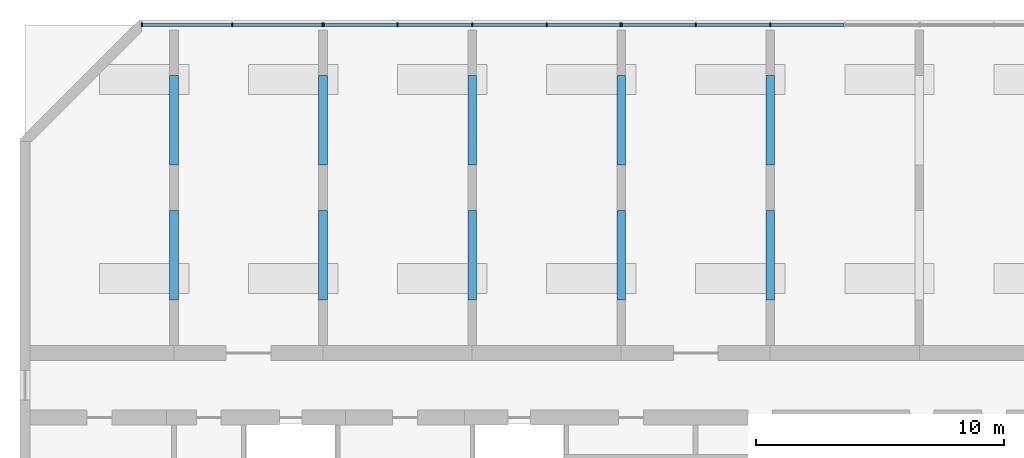
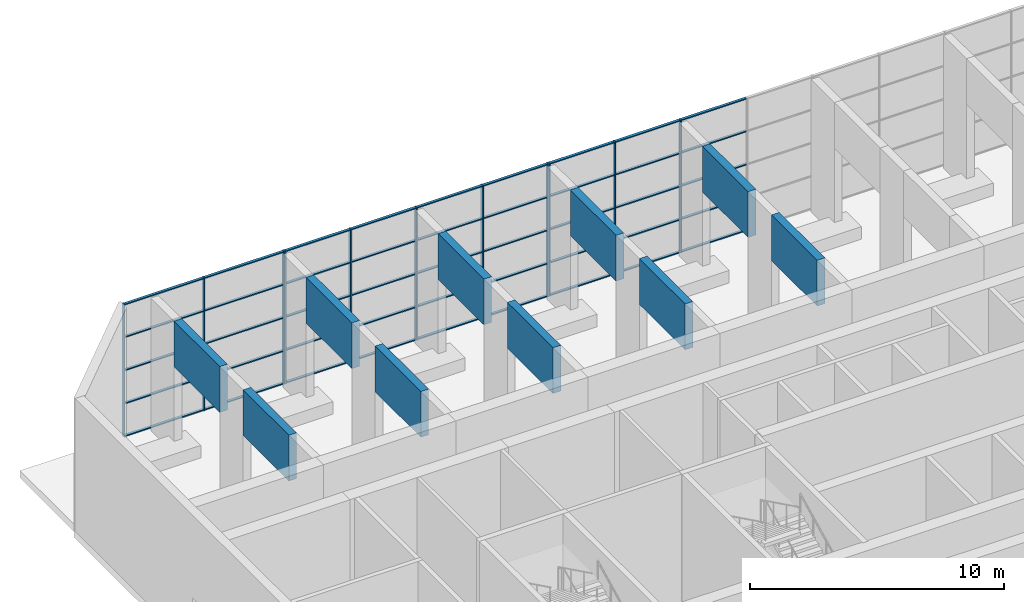
# One storey, part 1 of 16: 56 members, 10 beams, 3 elements without a shape of their own.
"""IFC4 building model written with IfcOpenShell, lengths in metres."""

from ifc_helpers import new_model, si_unit, direction, frame, origin, origin_2d, place, context, subcontext, project, spatial, rectangle, extrude, source, transform, mapped, material, layer, layer_set, material_profile, profile_set, type_object, element, aggregate, save


model = new_model("IFC4")

# Units and contexts
model_context = context("Model", 3, precision=1e-05, world=origin(), true_north=direction((0.0, 1.0)))
body_context = subcontext(model_context, "Body", "Model", "MODEL_VIEW")
ifc_project = project(units=[si_unit("LENGTHUNIT", "METRE"), si_unit("AREAUNIT", "SQUARE_METRE"), si_unit("VOLUMEUNIT", "CUBIC_METRE"), si_unit("PLANEANGLEUNIT", "RADIAN"), si_unit("MASSUNIT", "GRAM", prefix="KILO")], contexts=[model_context])

# Site, building, storey
site_placement = place(None, origin())
site = spatial("IfcSite", under=ifc_project, at=site_placement, CompositionType="ELEMENT")
building_placement = place(site_placement, origin())
building = spatial("IfcBuilding", under=site, at=building_placement, Name="Poui Terraces", CompositionType="ELEMENT")
storey_placement = place(building_placement, frame((0.0, 0.0, 115.800048828125)))
storey = spatial("IfcBuildingStorey", under=building, at=storey_placement, Name="L32", CompositionType="ELEMENT", Elevation=115.800048828125)

# Curtain wall, members
ifc_material_1 = material(Name="Clear glass", Category="glass")
ifc_layer = layer(ifc_material_1, 0.159912109375)
ifc_layer_set = layer_set([ifc_layer], Name="Clear glass")
curtain_wall_type = type_object("IfcCurtainWallType", Name="CURTAIN WALL CW-D SKY GARDEN GLAZING", PredefinedType="NOTDEFINED", material=ifc_layer_set)
curtain_wall_1_placement = place(storey_placement, origin())
curtain_wall_1 = element("IfcCurtainWall", 1, at=curtain_wall_1_placement, inside=storey, type_object=curtain_wall_type, Name="CW-D SKY GARDEN GLAZING", PredefinedType="NOTDEFINED")
ifc_material_2 = material(Name="Aluminium frame", Category="aluminium")
ifc_material_profile_1 = material_profile(ifc_material_2, rectangle(XDim=0.159912109375, YDim=0.050048828125, at=origin_2d()), Name="CW-D MULLION 50X160")
ifc_profile_set_1 = profile_set([ifc_material_profile_1], Name="Aluminium frame")
member_type_1 = type_object("IfcMemberType", Name="CW-D MULLION 50X160", PredefinedType="MULLION", material=ifc_profile_set_1)
member_1_placement = place(storey_placement, frame((23.97509765625, 43.60009765625, 0.0), z_axis=(0.0, 0.0, 1.0), x_axis=(0.0, -1.0, 0.0)))
member_1 = element("IfcMember", 2, at=member_1_placement, type_object=member_type_1, Name="CW-D mullion 1", PredefinedType="MULLION", context=body_context, shape_type="SweptSolid", body=[
    extrude(rectangle(XDim=0.159912109375, YDim=0.050048828125, at=origin_2d()), origin(), (0.0, 0.0, 1.0), 6.369873046875),
])
member_2_placement = place(storey_placement, frame((20.34130859375, 43.60009765625, 0.0), z_axis=(0.0, 0.0, 1.0), x_axis=(0.0, -1.0, 0.0)))
member_2 = element("IfcMember", 3, at=member_2_placement, type_object=member_type_1, Name="CW-D mullion 2", PredefinedType="MULLION", context=body_context, shape_type="SweptSolid", body=[
    extrude(rectangle(XDim=0.159912109375, YDim=0.050048828125, at=origin_2d()), origin(), (0.0, 0.0, 1.0), 6.369873046875),
])
member_3_placement = place(storey_placement, frame((16.707763671875, 43.60009765625, 0.0), z_axis=(0.0, 0.0, 1.0), x_axis=(0.0, -1.0, 0.0)))
member_3 = element("IfcMember", 4, at=member_3_placement, type_object=member_type_1, Name="CW-D mullion 3", PredefinedType="MULLION", context=body_context, shape_type="SweptSolid", body=[
    extrude(rectangle(XDim=0.159912109375, YDim=0.050048828125, at=origin_2d()), origin(), (0.0, 0.0, 1.0), 6.369873046875),
])

curtain_wall_2_placement = place(storey_placement, origin())
curtain_wall_2 = element("IfcCurtainWall", 5, at=curtain_wall_2_placement, inside=storey, type_object=curtain_wall_type, Name="CW-D SKY GARDEN GLAZING", PredefinedType="NOTDEFINED")
member_4_placement = place(storey_placement, frame((35.97509765625, 43.60009765625, 0.0), z_axis=(0.0, 0.0, 1.0), x_axis=(0.0, -1.0, 0.0)))
member_4 = element("IfcMember", 6, at=member_4_placement, type_object=member_type_1, Name="CW-D mullion 1", PredefinedType="MULLION", context=body_context, shape_type="SweptSolid", body=[
    extrude(rectangle(XDim=0.159912109375, YDim=0.050048828125, at=origin_2d()), origin(), (0.0, 0.0, 1.0), 6.369873046875),
])
member_5_placement = place(storey_placement, frame((33.0, 43.60009765625, 0.0), z_axis=(0.0, 0.0, 1.0), x_axis=(0.0, -1.0, 0.0)))
member_5 = element("IfcMember", 7, at=member_5_placement, type_object=member_type_1, Name="CW-D mullion 2", PredefinedType="MULLION", context=body_context, shape_type="SweptSolid", body=[
    extrude(rectangle(XDim=0.159912109375, YDim=0.050048828125, at=origin_2d()), origin(), (0.0, 0.0, 1.0), 6.369873046875),
])
member_6_placement = place(storey_placement, frame((30.0, 43.60009765625, 0.0), z_axis=(0.0, 0.0, 1.0), x_axis=(0.0, -1.0, 0.0)))
member_6 = element("IfcMember", 8, at=member_6_placement, type_object=member_type_1, Name="CW-D mullion 3", PredefinedType="MULLION", context=body_context, shape_type="SweptSolid", body=[
    extrude(rectangle(XDim=0.159912109375, YDim=0.050048828125, at=origin_2d()), origin(), (0.0, 0.0, 1.0), 6.369873046875),
])
member_7_placement = place(storey_placement, frame((27.0, 43.60009765625, 0.0), z_axis=(0.0, 0.0, 1.0), x_axis=(0.0, -1.0, 0.0)))
member_7 = element("IfcMember", 9, at=member_7_placement, type_object=member_type_1, Name="CW-D mullion 4", PredefinedType="MULLION", context=body_context, shape_type="SweptSolid", body=[
    extrude(rectangle(XDim=0.159912109375, YDim=0.050048828125, at=origin_2d()), origin(), (0.0, 0.0, 1.0), 6.369873046875),
])
member_8_placement = place(storey_placement, frame((24.02490234375, 43.60009765625, 0.0), z_axis=(0.0, 0.0, 1.0), x_axis=(0.0, -1.0, 0.0)))
member_8 = element("IfcMember", 10, at=member_8_placement, type_object=member_type_1, Name="CW-D mullion 5", PredefinedType="MULLION", context=body_context, shape_type="SweptSolid", body=[
    extrude(rectangle(XDim=0.159912109375, YDim=0.050048828125, at=origin_2d()), origin(), (0.0, 0.0, 1.0), 6.369873046875),
])

curtain_wall_3_placement = place(storey_placement, origin())
curtain_wall_3 = element("IfcCurtainWall", 11, at=curtain_wall_3_placement, inside=storey, type_object=curtain_wall_type, Name="CW-D SKY GARDEN GLAZING", PredefinedType="NOTDEFINED")
member_9_placement = place(storey_placement, frame((42.0, 43.60009765625, 0.0), z_axis=(0.0, 0.0, 1.0), x_axis=(0.0, -1.0, 0.0)))
member_9 = element("IfcMember", 12, at=member_9_placement, type_object=member_type_1, Name="CW-D mullion 3", PredefinedType="MULLION", context=body_context, shape_type="SweptSolid", body=[
    extrude(rectangle(XDim=0.159912109375, YDim=0.050048828125, at=origin_2d()), origin(), (0.0, 0.0, 1.0), 6.369873046875),
])
member_10_placement = place(storey_placement, frame((39.0, 43.60009765625, 0.0), z_axis=(0.0, 0.0, 1.0), x_axis=(0.0, -1.0, 0.0)))
member_10 = element("IfcMember", 13, at=member_10_placement, type_object=member_type_1, Name="CW-D mullion 4", PredefinedType="MULLION", context=body_context, shape_type="SweptSolid", body=[
    extrude(rectangle(XDim=0.159912109375, YDim=0.050048828125, at=origin_2d()), origin(), (0.0, 0.0, 1.0), 6.369873046875),
])
member_11_placement = place(storey_placement, frame((36.02490234375, 43.60009765625, 0.0), z_axis=(0.0, 0.0, 1.0), x_axis=(0.0, -1.0, 0.0)))
member_11 = element("IfcMember", 14, at=member_11_placement, type_object=member_type_1, Name="CW-D mullion 5", PredefinedType="MULLION", context=body_context, shape_type="SweptSolid", body=[
    extrude(rectangle(XDim=0.159912109375, YDim=0.050048828125, at=origin_2d()), origin(), (0.0, 0.0, 1.0), 6.369873046875),
])

# Member
ifc_material_profile_2 = material_profile(ifc_material_2, rectangle(XDim=0.1201171875, YDim=0.050048828125, at=origin_2d()), Name="CW-D TRANSOM 50X120")
ifc_profile_set_2 = profile_set([ifc_material_profile_2], Name="Aluminium frame")
member_type_2 = type_object("IfcMemberType", Name="CW-D TRANSOM 50X120", PredefinedType="USERDEFINED", material=ifc_profile_set_2)
member_12_placement = place(storey_placement, frame((23.949951171875, 43.60009765625, 0.02490234375), z_axis=(-1.0, 0.0, 0.0), x_axis=(0.0, -1.0, 0.0)))
member_12 = element("IfcMember", 15, at=member_12_placement, type_object=member_type_2, Name="CW-D transom 1.1", ObjectType="TRANSOM", PredefinedType="USERDEFINED", context=body_context, shape_type="SweptSolid", body=[
    extrude(rectangle(XDim=0.1201171875, YDim=0.050048828125, at=origin_2d()), origin(), (0.0, 0.0, 1.0), 3.58349609375),
])

member_13_placement = place(storey_placement, frame((23.949951171875, 43.60009765625, 1.592529296875), z_axis=(-1.0, 0.0, 0.0), x_axis=(0.0, -1.0, 0.0)))
member_13 = element("IfcMember", 16, at=member_13_placement, type_object=member_type_2, Name="CW-D transom 1.2", ObjectType="TRANSOM", PredefinedType="USERDEFINED", context=body_context, shape_type="SweptSolid", body=[
    extrude(rectangle(XDim=0.1201171875, YDim=0.050048828125, at=origin_2d()), origin(), (0.0, 0.0, 1.0), 3.58349609375),
])

member_14_placement = place(storey_placement, frame((23.949951171875, 43.60009765625, 3.18505859375), z_axis=(-1.0, 0.0, 0.0), x_axis=(0.0, -1.0, 0.0)))
member_14 = element("IfcMember", 17, at=member_14_placement, type_object=member_type_2, Name="CW-D transom 1.3", ObjectType="TRANSOM", PredefinedType="USERDEFINED", context=body_context, shape_type="SweptSolid", body=[
    extrude(rectangle(XDim=0.1201171875, YDim=0.050048828125, at=origin_2d()), origin(), (0.0, 0.0, 1.0), 3.58349609375),
])

member_15_placement = place(storey_placement, frame((23.949951171875, 43.60009765625, 4.77734375), z_axis=(-1.0, 0.0, 0.0), x_axis=(0.0, -1.0, 0.0)))
member_15 = element("IfcMember", 18, at=member_15_placement, type_object=member_type_2, Name="CW-D transom 1.4", ObjectType="TRANSOM", PredefinedType="USERDEFINED", context=body_context, shape_type="SweptSolid", body=[
    extrude(rectangle(XDim=0.1201171875, YDim=0.050048828125, at=origin_2d()), origin(), (0.0, 0.0, 1.0), 3.58349609375),
])

member_16_placement = place(storey_placement, frame((23.949951171875, 43.60009765625, 6.344970703125), z_axis=(-1.0, 0.0, 0.0), x_axis=(0.0, -1.0, 0.0)))
member_16 = element("IfcMember", 19, at=member_16_placement, type_object=member_type_2, Name="CW-D transom 1.5", ObjectType="TRANSOM", PredefinedType="USERDEFINED", context=body_context, shape_type="SweptSolid", body=[
    extrude(rectangle(XDim=0.1201171875, YDim=0.050048828125, at=origin_2d()), origin(), (0.0, 0.0, 1.0), 3.58349609375),
])

member_17_placement = place(storey_placement, frame((20.31640625, 43.60009765625, 0.02490234375), z_axis=(-1.0, 0.0, 0.0), x_axis=(0.0, -1.0, 0.0)))
member_17 = element("IfcMember", 20, at=member_17_placement, type_object=member_type_2, Name="CW-D transom 2.1", ObjectType="TRANSOM", PredefinedType="USERDEFINED", context=body_context, shape_type="SweptSolid", body=[
    extrude(rectangle(XDim=0.1201171875, YDim=0.050048828125, at=origin_2d()), origin(), (0.0, 0.0, 1.0), 3.58349609375),
])

member_18_placement = place(storey_placement, frame((20.31640625, 43.60009765625, 1.592529296875), z_axis=(-1.0, 0.0, 0.0), x_axis=(0.0, -1.0, 0.0)))
member_18 = element("IfcMember", 21, at=member_18_placement, type_object=member_type_2, Name="CW-D transom 2.2", ObjectType="TRANSOM", PredefinedType="USERDEFINED", context=body_context, shape_type="SweptSolid", body=[
    extrude(rectangle(XDim=0.1201171875, YDim=0.050048828125, at=origin_2d()), origin(), (0.0, 0.0, 1.0), 3.58349609375),
])

member_19_placement = place(storey_placement, frame((20.31640625, 43.60009765625, 3.18505859375), z_axis=(-1.0, 0.0, 0.0), x_axis=(0.0, -1.0, 0.0)))
member_19 = element("IfcMember", 22, at=member_19_placement, type_object=member_type_2, Name="CW-D transom 2.3", ObjectType="TRANSOM", PredefinedType="USERDEFINED", context=body_context, shape_type="SweptSolid", body=[
    extrude(rectangle(XDim=0.1201171875, YDim=0.050048828125, at=origin_2d()), origin(), (0.0, 0.0, 1.0), 3.58349609375),
])

member_20_placement = place(storey_placement, frame((20.31640625, 43.60009765625, 4.77734375), z_axis=(-1.0, 0.0, 0.0), x_axis=(0.0, -1.0, 0.0)))
member_20 = element("IfcMember", 23, at=member_20_placement, type_object=member_type_2, Name="CW-D transom 2.4", ObjectType="TRANSOM", PredefinedType="USERDEFINED", context=body_context, shape_type="SweptSolid", body=[
    extrude(rectangle(XDim=0.1201171875, YDim=0.050048828125, at=origin_2d()), origin(), (0.0, 0.0, 1.0), 3.58349609375),
])

member_21_placement = place(storey_placement, frame((20.31640625, 43.60009765625, 6.344970703125), z_axis=(-1.0, 0.0, 0.0), x_axis=(0.0, -1.0, 0.0)))
member_21 = element("IfcMember", 24, at=member_21_placement, type_object=member_type_2, Name="CW-D transom 2.5", ObjectType="TRANSOM", PredefinedType="USERDEFINED", context=body_context, shape_type="SweptSolid", body=[
    extrude(rectangle(XDim=0.1201171875, YDim=0.050048828125, at=origin_2d()), origin(), (0.0, 0.0, 1.0), 3.58349609375),
])

aggregate(curtain_wall_1, [member_1, member_2, member_3, member_12, member_13, member_14, member_15, member_16, member_17, member_18, member_19, member_20, member_21])

member_22_placement = place(storey_placement, frame((35.949951171875, 43.60009765625, 0.02490234375), z_axis=(-1.0, 0.0, 0.0), x_axis=(0.0, -1.0, 0.0)))
member_22 = element("IfcMember", 25, at=member_22_placement, type_object=member_type_2, Name="CW-D transom 1.1", ObjectType="TRANSOM", PredefinedType="USERDEFINED", context=body_context, shape_type="SweptSolid", body=[
    extrude(rectangle(XDim=0.1201171875, YDim=0.050048828125, at=origin_2d()), origin(), (0.0, 0.0, 1.0), 2.925048828125),
])

member_23_placement = place(storey_placement, frame((35.949951171875, 43.60009765625, 1.592529296875), z_axis=(-1.0, 0.0, 0.0), x_axis=(0.0, -1.0, 0.0)))
member_23 = element("IfcMember", 26, at=member_23_placement, type_object=member_type_2, Name="CW-D transom 1.2", ObjectType="TRANSOM", PredefinedType="USERDEFINED", context=body_context, shape_type="SweptSolid", body=[
    extrude(rectangle(XDim=0.1201171875, YDim=0.050048828125, at=origin_2d()), origin(), (0.0, 0.0, 1.0), 2.925048828125),
])

member_24_placement = place(storey_placement, frame((35.949951171875, 43.60009765625, 3.18505859375), z_axis=(-1.0, 0.0, 0.0), x_axis=(0.0, -1.0, 0.0)))
member_24 = element("IfcMember", 27, at=member_24_placement, type_object=member_type_2, Name="CW-D transom 1.3", ObjectType="TRANSOM", PredefinedType="USERDEFINED", context=body_context, shape_type="SweptSolid", body=[
    extrude(rectangle(XDim=0.1201171875, YDim=0.050048828125, at=origin_2d()), origin(), (0.0, 0.0, 1.0), 2.925048828125),
])

member_25_placement = place(storey_placement, frame((35.949951171875, 43.60009765625, 4.77734375), z_axis=(-1.0, 0.0, 0.0), x_axis=(0.0, -1.0, 0.0)))
member_25 = element("IfcMember", 28, at=member_25_placement, type_object=member_type_2, Name="CW-D transom 1.4", ObjectType="TRANSOM", PredefinedType="USERDEFINED", context=body_context, shape_type="SweptSolid", body=[
    extrude(rectangle(XDim=0.1201171875, YDim=0.050048828125, at=origin_2d()), origin(), (0.0, 0.0, 1.0), 2.925048828125),
])

member_26_placement = place(storey_placement, frame((35.949951171875, 43.60009765625, 6.344970703125), z_axis=(-1.0, 0.0, 0.0), x_axis=(0.0, -1.0, 0.0)))
member_26 = element("IfcMember", 29, at=member_26_placement, type_object=member_type_2, Name="CW-D transom 1.5", ObjectType="TRANSOM", PredefinedType="USERDEFINED", context=body_context, shape_type="SweptSolid", body=[
    extrude(rectangle(XDim=0.1201171875, YDim=0.050048828125, at=origin_2d()), origin(), (0.0, 0.0, 1.0), 2.925048828125),
])

member_27_placement = place(storey_placement, frame((32.97509765625, 43.60009765625, 0.02490234375), z_axis=(-1.0, 0.0, 0.0), x_axis=(0.0, -1.0, 0.0)))
member_27 = element("IfcMember", 30, at=member_27_placement, type_object=member_type_2, Name="CW-D transom 2.1", ObjectType="TRANSOM", PredefinedType="USERDEFINED", context=body_context, shape_type="SweptSolid", body=[
    extrude(rectangle(XDim=0.1201171875, YDim=0.050048828125, at=origin_2d()), origin(), (0.0, 0.0, 1.0), 2.9501953125),
])

member_28_placement = place(storey_placement, frame((32.97509765625, 43.60009765625, 1.592529296875), z_axis=(-1.0, 0.0, 0.0), x_axis=(0.0, -1.0, 0.0)))
member_28 = element("IfcMember", 31, at=member_28_placement, type_object=member_type_2, Name="CW-D transom 2.2", ObjectType="TRANSOM", PredefinedType="USERDEFINED", context=body_context, shape_type="SweptSolid", body=[
    extrude(rectangle(XDim=0.1201171875, YDim=0.050048828125, at=origin_2d()), origin(), (0.0, 0.0, 1.0), 2.9501953125),
])

member_29_placement = place(storey_placement, frame((32.97509765625, 43.60009765625, 3.18505859375), z_axis=(-1.0, 0.0, 0.0), x_axis=(0.0, -1.0, 0.0)))
member_29 = element("IfcMember", 32, at=member_29_placement, type_object=member_type_2, Name="CW-D transom 2.3", ObjectType="TRANSOM", PredefinedType="USERDEFINED", context=body_context, shape_type="SweptSolid", body=[
    extrude(rectangle(XDim=0.1201171875, YDim=0.050048828125, at=origin_2d()), origin(), (0.0, 0.0, 1.0), 2.9501953125),
])

member_30_placement = place(storey_placement, frame((32.97509765625, 43.60009765625, 4.77734375), z_axis=(-1.0, 0.0, 0.0), x_axis=(0.0, -1.0, 0.0)))
member_30 = element("IfcMember", 33, at=member_30_placement, type_object=member_type_2, Name="CW-D transom 2.4", ObjectType="TRANSOM", PredefinedType="USERDEFINED", context=body_context, shape_type="SweptSolid", body=[
    extrude(rectangle(XDim=0.1201171875, YDim=0.050048828125, at=origin_2d()), origin(), (0.0, 0.0, 1.0), 2.9501953125),
])

member_31_placement = place(storey_placement, frame((32.97509765625, 43.60009765625, 6.344970703125), z_axis=(-1.0, 0.0, 0.0), x_axis=(0.0, -1.0, 0.0)))
member_31 = element("IfcMember", 34, at=member_31_placement, type_object=member_type_2, Name="CW-D transom 2.5", ObjectType="TRANSOM", PredefinedType="USERDEFINED", context=body_context, shape_type="SweptSolid", body=[
    extrude(rectangle(XDim=0.1201171875, YDim=0.050048828125, at=origin_2d()), origin(), (0.0, 0.0, 1.0), 2.9501953125),
])

member_32_placement = place(storey_placement, frame((29.97509765625, 43.60009765625, 0.02490234375), z_axis=(-1.0, 0.0, 0.0), x_axis=(0.0, -1.0, 0.0)))
member_32 = element("IfcMember", 35, at=member_32_placement, type_object=member_type_2, Name="CW-D transom 3.1", ObjectType="TRANSOM", PredefinedType="USERDEFINED", context=body_context, shape_type="SweptSolid", body=[
    extrude(rectangle(XDim=0.1201171875, YDim=0.050048828125, at=origin_2d()), origin(), (0.0, 0.0, 1.0), 2.9501953125),
])

member_33_placement = place(storey_placement, frame((29.97509765625, 43.60009765625, 1.592529296875), z_axis=(-1.0, 0.0, 0.0), x_axis=(0.0, -1.0, 0.0)))
member_33 = element("IfcMember", 36, at=member_33_placement, type_object=member_type_2, Name="CW-D transom 3.2", ObjectType="TRANSOM", PredefinedType="USERDEFINED", context=body_context, shape_type="SweptSolid", body=[
    extrude(rectangle(XDim=0.1201171875, YDim=0.050048828125, at=origin_2d()), origin(), (0.0, 0.0, 1.0), 2.9501953125),
])

member_34_placement = place(storey_placement, frame((29.97509765625, 43.60009765625, 3.18505859375), z_axis=(-1.0, 0.0, 0.0), x_axis=(0.0, -1.0, 0.0)))
member_34 = element("IfcMember", 37, at=member_34_placement, type_object=member_type_2, Name="CW-D transom 3.3", ObjectType="TRANSOM", PredefinedType="USERDEFINED", context=body_context, shape_type="SweptSolid", body=[
    extrude(rectangle(XDim=0.1201171875, YDim=0.050048828125, at=origin_2d()), origin(), (0.0, 0.0, 1.0), 2.9501953125),
])

member_35_placement = place(storey_placement, frame((29.97509765625, 43.60009765625, 4.77734375), z_axis=(-1.0, 0.0, 0.0), x_axis=(0.0, -1.0, 0.0)))
member_35 = element("IfcMember", 38, at=member_35_placement, type_object=member_type_2, Name="CW-D transom 3.4", ObjectType="TRANSOM", PredefinedType="USERDEFINED", context=body_context, shape_type="SweptSolid", body=[
    extrude(rectangle(XDim=0.1201171875, YDim=0.050048828125, at=origin_2d()), origin(), (0.0, 0.0, 1.0), 2.9501953125),
])

member_36_placement = place(storey_placement, frame((29.97509765625, 43.60009765625, 6.344970703125), z_axis=(-1.0, 0.0, 0.0), x_axis=(0.0, -1.0, 0.0)))
member_36 = element("IfcMember", 39, at=member_36_placement, type_object=member_type_2, Name="CW-D transom 3.5", ObjectType="TRANSOM", PredefinedType="USERDEFINED", context=body_context, shape_type="SweptSolid", body=[
    extrude(rectangle(XDim=0.1201171875, YDim=0.050048828125, at=origin_2d()), origin(), (0.0, 0.0, 1.0), 2.9501953125),
])

member_37_placement = place(storey_placement, frame((26.97509765625, 43.60009765625, 0.02490234375), z_axis=(-1.0, 0.0, 0.0), x_axis=(0.0, -1.0, 0.0)))
member_37 = element("IfcMember", 40, at=member_37_placement, type_object=member_type_2, Name="CW-D transom 4.1", ObjectType="TRANSOM", PredefinedType="USERDEFINED", context=body_context, shape_type="SweptSolid", body=[
    extrude(rectangle(XDim=0.1201171875, YDim=0.050048828125, at=origin_2d()), origin(), (0.0, 0.0, 1.0), 2.925048828125),
])

member_38_placement = place(storey_placement, frame((26.97509765625, 43.60009765625, 1.592529296875), z_axis=(-1.0, 0.0, 0.0), x_axis=(0.0, -1.0, 0.0)))
member_38 = element("IfcMember", 41, at=member_38_placement, type_object=member_type_2, Name="CW-D transom 4.2", ObjectType="TRANSOM", PredefinedType="USERDEFINED", context=body_context, shape_type="SweptSolid", body=[
    extrude(rectangle(XDim=0.1201171875, YDim=0.050048828125, at=origin_2d()), origin(), (0.0, 0.0, 1.0), 2.925048828125),
])

member_39_placement = place(storey_placement, frame((26.97509765625, 43.60009765625, 3.18505859375), z_axis=(-1.0, 0.0, 0.0), x_axis=(0.0, -1.0, 0.0)))
member_39 = element("IfcMember", 42, at=member_39_placement, type_object=member_type_2, Name="CW-D transom 4.3", ObjectType="TRANSOM", PredefinedType="USERDEFINED", context=body_context, shape_type="SweptSolid", body=[
    extrude(rectangle(XDim=0.1201171875, YDim=0.050048828125, at=origin_2d()), origin(), (0.0, 0.0, 1.0), 2.925048828125),
])

member_40_placement = place(storey_placement, frame((26.97509765625, 43.60009765625, 4.77734375), z_axis=(-1.0, 0.0, 0.0), x_axis=(0.0, -1.0, 0.0)))
member_40 = element("IfcMember", 43, at=member_40_placement, type_object=member_type_2, Name="CW-D transom 4.4", ObjectType="TRANSOM", PredefinedType="USERDEFINED", context=body_context, shape_type="SweptSolid", body=[
    extrude(rectangle(XDim=0.1201171875, YDim=0.050048828125, at=origin_2d()), origin(), (0.0, 0.0, 1.0), 2.925048828125),
])

member_41_placement = place(storey_placement, frame((26.97509765625, 43.60009765625, 6.344970703125), z_axis=(-1.0, 0.0, 0.0), x_axis=(0.0, -1.0, 0.0)))
member_41 = element("IfcMember", 44, at=member_41_placement, type_object=member_type_2, Name="CW-D transom 4.5", ObjectType="TRANSOM", PredefinedType="USERDEFINED", context=body_context, shape_type="SweptSolid", body=[
    extrude(rectangle(XDim=0.1201171875, YDim=0.050048828125, at=origin_2d()), origin(), (0.0, 0.0, 1.0), 2.925048828125),
])

aggregate(curtain_wall_2, [member_4, member_5, member_6, member_7, member_8, member_22, member_23, member_24, member_25, member_26, member_27, member_28, member_29, member_30, member_31, member_32, member_33, member_34, member_35, member_36, member_37, member_38, member_39, member_40, member_41])

member_42_placement = place(storey_placement, frame((44.97509765625, 43.60009765625, 0.02490234375), z_axis=(-1.0, 0.0, 0.0), x_axis=(0.0, -1.0, 0.0)))
member_42 = element("IfcMember", 45, at=member_42_placement, type_object=member_type_2, Name="CW-D transom 2.1", ObjectType="TRANSOM", PredefinedType="USERDEFINED", context=body_context, shape_type="SweptSolid", body=[
    extrude(rectangle(XDim=0.1201171875, YDim=0.050048828125, at=origin_2d()), origin(), (0.0, 0.0, 1.0), 2.9501953125),
])

member_43_placement = place(storey_placement, frame((44.97509765625, 43.60009765625, 1.592529296875), z_axis=(-1.0, 0.0, 0.0), x_axis=(0.0, -1.0, 0.0)))
member_43 = element("IfcMember", 46, at=member_43_placement, type_object=member_type_2, Name="CW-D transom 2.2", ObjectType="TRANSOM", PredefinedType="USERDEFINED", context=body_context, shape_type="SweptSolid", body=[
    extrude(rectangle(XDim=0.1201171875, YDim=0.050048828125, at=origin_2d()), origin(), (0.0, 0.0, 1.0), 2.9501953125),
])

member_44_placement = place(storey_placement, frame((44.97509765625, 43.60009765625, 3.18505859375), z_axis=(-1.0, 0.0, 0.0), x_axis=(0.0, -1.0, 0.0)))
member_44 = element("IfcMember", 47, at=member_44_placement, type_object=member_type_2, Name="CW-D transom 2.3", ObjectType="TRANSOM", PredefinedType="USERDEFINED", context=body_context, shape_type="SweptSolid", body=[
    extrude(rectangle(XDim=0.1201171875, YDim=0.050048828125, at=origin_2d()), origin(), (0.0, 0.0, 1.0), 2.9501953125),
])

member_45_placement = place(storey_placement, frame((44.97509765625, 43.60009765625, 4.77734375), z_axis=(-1.0, 0.0, 0.0), x_axis=(0.0, -1.0, 0.0)))
member_45 = element("IfcMember", 48, at=member_45_placement, type_object=member_type_2, Name="CW-D transom 2.4", ObjectType="TRANSOM", PredefinedType="USERDEFINED", context=body_context, shape_type="SweptSolid", body=[
    extrude(rectangle(XDim=0.1201171875, YDim=0.050048828125, at=origin_2d()), origin(), (0.0, 0.0, 1.0), 2.9501953125),
])

member_46_placement = place(storey_placement, frame((44.97509765625, 43.60009765625, 6.344970703125), z_axis=(-1.0, 0.0, 0.0), x_axis=(0.0, -1.0, 0.0)))
member_46 = element("IfcMember", 49, at=member_46_placement, type_object=member_type_2, Name="CW-D transom 2.5", ObjectType="TRANSOM", PredefinedType="USERDEFINED", context=body_context, shape_type="SweptSolid", body=[
    extrude(rectangle(XDim=0.1201171875, YDim=0.050048828125, at=origin_2d()), origin(), (0.0, 0.0, 1.0), 2.9501953125),
])

member_47_placement = place(storey_placement, frame((41.97509765625, 43.60009765625, 0.02490234375), z_axis=(-1.0, 0.0, 0.0), x_axis=(0.0, -1.0, 0.0)))
member_47 = element("IfcMember", 50, at=member_47_placement, type_object=member_type_2, Name="CW-D transom 3.1", ObjectType="TRANSOM", PredefinedType="USERDEFINED", context=body_context, shape_type="SweptSolid", body=[
    extrude(rectangle(XDim=0.1201171875, YDim=0.050048828125, at=origin_2d()), origin(), (0.0, 0.0, 1.0), 2.9501953125),
])

member_48_placement = place(storey_placement, frame((41.97509765625, 43.60009765625, 1.592529296875), z_axis=(-1.0, 0.0, 0.0), x_axis=(0.0, -1.0, 0.0)))
member_48 = element("IfcMember", 51, at=member_48_placement, type_object=member_type_2, Name="CW-D transom 3.2", ObjectType="TRANSOM", PredefinedType="USERDEFINED", context=body_context, shape_type="SweptSolid", body=[
    extrude(rectangle(XDim=0.1201171875, YDim=0.050048828125, at=origin_2d()), origin(), (0.0, 0.0, 1.0), 2.9501953125),
])

member_49_placement = place(storey_placement, frame((41.97509765625, 43.60009765625, 3.18505859375), z_axis=(-1.0, 0.0, 0.0), x_axis=(0.0, -1.0, 0.0)))
member_49 = element("IfcMember", 52, at=member_49_placement, type_object=member_type_2, Name="CW-D transom 3.3", ObjectType="TRANSOM", PredefinedType="USERDEFINED", context=body_context, shape_type="SweptSolid", body=[
    extrude(rectangle(XDim=0.1201171875, YDim=0.050048828125, at=origin_2d()), origin(), (0.0, 0.0, 1.0), 2.9501953125),
])

member_50_placement = place(storey_placement, frame((41.97509765625, 43.60009765625, 4.77734375), z_axis=(-1.0, 0.0, 0.0), x_axis=(0.0, -1.0, 0.0)))
member_50 = element("IfcMember", 53, at=member_50_placement, type_object=member_type_2, Name="CW-D transom 3.4", ObjectType="TRANSOM", PredefinedType="USERDEFINED", context=body_context, shape_type="SweptSolid", body=[
    extrude(rectangle(XDim=0.1201171875, YDim=0.050048828125, at=origin_2d()), origin(), (0.0, 0.0, 1.0), 2.9501953125),
])

member_51_placement = place(storey_placement, frame((41.97509765625, 43.60009765625, 6.344970703125), z_axis=(-1.0, 0.0, 0.0), x_axis=(0.0, -1.0, 0.0)))
member_51 = element("IfcMember", 54, at=member_51_placement, type_object=member_type_2, Name="CW-D transom 3.5", ObjectType="TRANSOM", PredefinedType="USERDEFINED", context=body_context, shape_type="SweptSolid", body=[
    extrude(rectangle(XDim=0.1201171875, YDim=0.050048828125, at=origin_2d()), origin(), (0.0, 0.0, 1.0), 2.9501953125),
])

member_52_placement = place(storey_placement, frame((38.97509765625, 43.60009765625, 0.02490234375), z_axis=(-1.0, 0.0, 0.0), x_axis=(0.0, -1.0, 0.0)))
member_52 = element("IfcMember", 55, at=member_52_placement, type_object=member_type_2, Name="CW-D transom 4.1", ObjectType="TRANSOM", PredefinedType="USERDEFINED", context=body_context, shape_type="SweptSolid", body=[
    extrude(rectangle(XDim=0.1201171875, YDim=0.050048828125, at=origin_2d()), origin(), (0.0, 0.0, 1.0), 2.925048828125),
])

member_53_placement = place(storey_placement, frame((38.97509765625, 43.60009765625, 1.592529296875), z_axis=(-1.0, 0.0, 0.0), x_axis=(0.0, -1.0, 0.0)))
member_53 = element("IfcMember", 56, at=member_53_placement, type_object=member_type_2, Name="CW-D transom 4.2", ObjectType="TRANSOM", PredefinedType="USERDEFINED", context=body_context, shape_type="SweptSolid", body=[
    extrude(rectangle(XDim=0.1201171875, YDim=0.050048828125, at=origin_2d()), origin(), (0.0, 0.0, 1.0), 2.925048828125),
])

member_54_placement = place(storey_placement, frame((38.97509765625, 43.60009765625, 3.18505859375), z_axis=(-1.0, 0.0, 0.0), x_axis=(0.0, -1.0, 0.0)))
member_54 = element("IfcMember", 57, at=member_54_placement, type_object=member_type_2, Name="CW-D transom 4.3", ObjectType="TRANSOM", PredefinedType="USERDEFINED", context=body_context, shape_type="SweptSolid", body=[
    extrude(rectangle(XDim=0.1201171875, YDim=0.050048828125, at=origin_2d()), origin(), (0.0, 0.0, 1.0), 2.925048828125),
])

member_55_placement = place(storey_placement, frame((38.97509765625, 43.60009765625, 4.77734375), z_axis=(-1.0, 0.0, 0.0), x_axis=(0.0, -1.0, 0.0)))
member_55 = element("IfcMember", 58, at=member_55_placement, type_object=member_type_2, Name="CW-D transom 4.4", ObjectType="TRANSOM", PredefinedType="USERDEFINED", context=body_context, shape_type="SweptSolid", body=[
    extrude(rectangle(XDim=0.1201171875, YDim=0.050048828125, at=origin_2d()), origin(), (0.0, 0.0, 1.0), 2.925048828125),
])

member_56_placement = place(storey_placement, frame((38.97509765625, 43.60009765625, 6.344970703125), z_axis=(-1.0, 0.0, 0.0), x_axis=(0.0, -1.0, 0.0)))
member_56 = element("IfcMember", 59, at=member_56_placement, type_object=member_type_2, Name="CW-D transom 4.5", ObjectType="TRANSOM", PredefinedType="USERDEFINED", context=body_context, shape_type="SweptSolid", body=[
    extrude(rectangle(XDim=0.1201171875, YDim=0.050048828125, at=origin_2d()), origin(), (0.0, 0.0, 1.0), 2.925048828125),
])

aggregate(curtain_wall_3, [member_9, member_10, member_11, member_42, member_43, member_44, member_45, member_46, member_47, member_48, member_49, member_50, member_51, member_52, member_53, member_54, member_55, member_56])

# Beams
ifc_material_3 = material(Name="Concrete 65 MPa", Category="concrete")
ifc_material_profile_3 = material_profile(ifc_material_3, rectangle(XDim=0.35009765625, YDim=2.199951171875, at=origin_2d()), Name="RC 350x2200")
ifc_profile_set_3 = profile_set([ifc_material_profile_3], Name="Concrete 65 MPa")
beam_type = type_object("IfcBeamType", Name="DEEP BEAM 350x2200 65MPa", PredefinedType="BEAM", material=ifc_profile_set_3)
shared_shape_1 = source(origin(), body_context, "Body", "SweptSolid", [
    extrude(rectangle(XDim=0.35009765625, YDim=2.199951171875, at=origin_2d()), origin(), (0.0, 0.0, 1.0), 3.60009765625),
])
for number, where, z_axis, x_axis, name in (
    (60, (18.0, 32.533203125, 5.27001953125), (0.0, 1.0, 0.0), (-1.0, 0.0, 0.0), "DEEP BEAM LINE 4 1"),
    (61, (24.0, 32.533203125, 5.27001953125), (0.0, 1.0, 0.0), (-1.0, 0.0, 0.0), "DEEP BEAM LINE 5 1"),
    (62, (30.0, 32.533203125, 5.27001953125), (0.0, 1.0, 0.0), (-1.0, 0.0, 0.0), "DEEP BEAM LINE 6 1"),
    (63, (36.0, 32.533203125, 5.27001953125), (0.0, 1.0, 0.0), (-1.0, 0.0, 0.0), "DEEP BEAM LINE 7 1"),
    (64, (42.0, 32.533203125, 5.27001953125), (0.0, 1.0, 0.0), (-1.0, 0.0, 0.0), "DEEP BEAM LINE 8 1"),
):
    element("IfcBeam", number, at=place(storey_placement, frame(where, z_axis=z_axis, x_axis=x_axis)), inside=storey, type_object=beam_type, Name=name, PredefinedType="BEAM", context=body_context, shape_type="MappedRepresentation", body=[
        mapped(shared_shape_1, transform((0.0, 0.0, 0.0))),
    ])
shared_shape_2 = source(origin(), body_context, "Body", "SweptSolid", [
    extrude(rectangle(XDim=0.35009765625, YDim=2.199951171875, at=origin_2d()), origin(), (0.0, 0.0, 1.0), 3.599853515625),
])
for number, where, z_axis, x_axis, name in (
    (65, (18.0, 37.966796875, 5.27001953125), (0.0, 1.0, 0.0), (-1.0, 0.0, 0.0), "DEEP BEAM LINE 4 2"),
    (66, (24.0, 37.966796875, 5.27001953125), (0.0, 1.0, 0.0), (-1.0, 0.0, 0.0), "DEEP BEAM LINE 5 2"),
    (67, (30.0, 37.966796875, 5.27001953125), (0.0, 1.0, 0.0), (-1.0, 0.0, 0.0), "DEEP BEAM LINE 6 2"),
    (68, (36.0, 37.966796875, 5.27001953125), (0.0, 1.0, 0.0), (-1.0, 0.0, 0.0), "DEEP BEAM LINE 7 2"),
    (69, (42.0, 37.966796875, 5.27001953125), (0.0, 1.0, 0.0), (-1.0, 0.0, 0.0), "DEEP BEAM LINE 8 2"),
):
    element("IfcBeam", number, at=place(storey_placement, frame(where, z_axis=z_axis, x_axis=x_axis)), inside=storey, type_object=beam_type, Name=name, PredefinedType="BEAM", context=body_context, shape_type="MappedRepresentation", body=[
        mapped(shared_shape_2, transform((0.0, 0.0, 0.0))),
    ])

save(model, "model.ifc")
